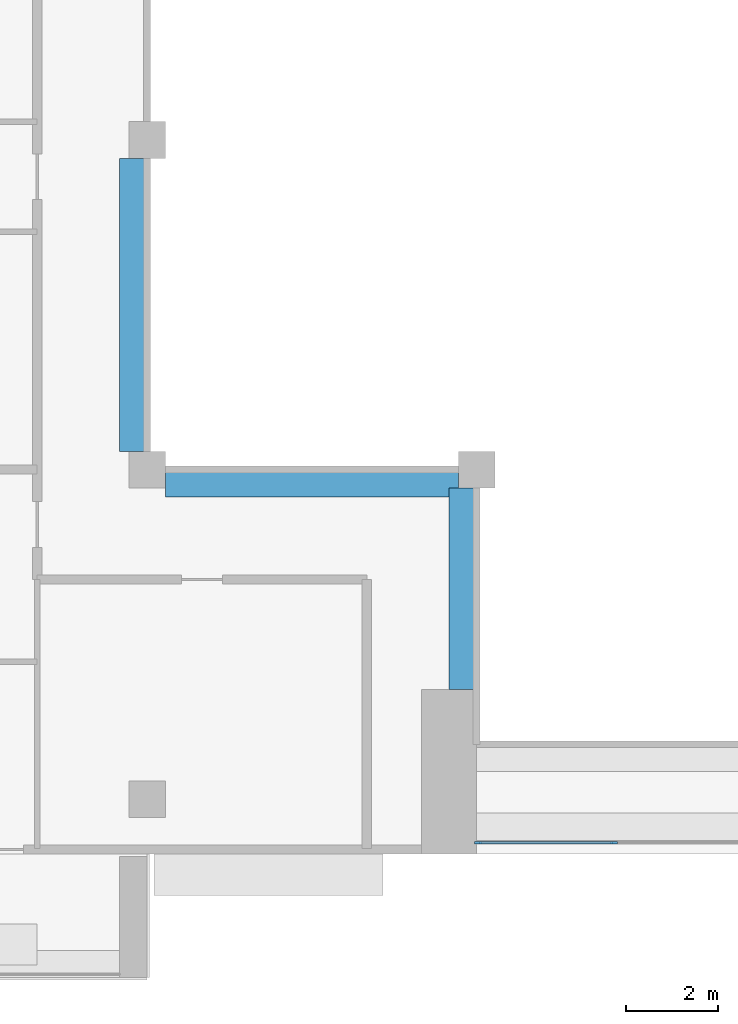
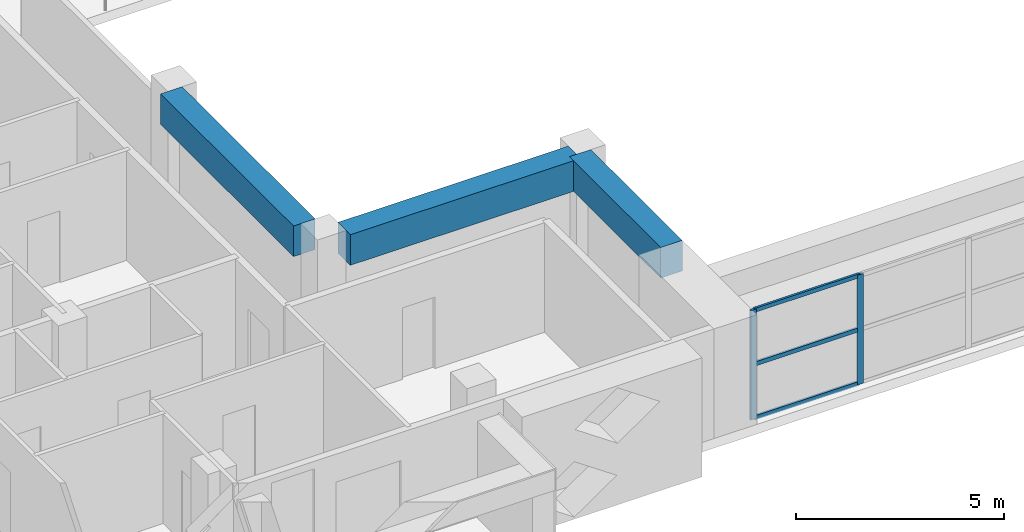
# One storey, part 2 of 19: 5 members, 3 beams, 1 element without a shape of its own.
"""IFC4 building model written with IfcOpenShell, lengths in metres."""

from ifc_helpers import new_model, si_unit, direction, frame, origin, origin_2d, place, context, subcontext, project, spatial, rectangle, extrude, source, transform, mapped, material, layer, layer_set, material_profile, profile_set, type_object, element, aggregate, save


model = new_model("IFC4")

# Units and contexts
model_context = context("Model", 3, precision=1e-05, world=origin(), true_north=direction((0.0, 1.0)))
body_context = subcontext(model_context, "Body", "Model", "MODEL_VIEW")
ifc_project = project(units=[si_unit("LENGTHUNIT", "METRE"), si_unit("AREAUNIT", "SQUARE_METRE"), si_unit("VOLUMEUNIT", "CUBIC_METRE"), si_unit("PLANEANGLEUNIT", "RADIAN"), si_unit("MASSUNIT", "GRAM", prefix="KILO")], contexts=[model_context])

# Site, building, storey
site_placement = place(None, origin())
site = spatial("IfcSite", under=ifc_project, at=site_placement, CompositionType="ELEMENT")
building_placement = place(site_placement, origin())
building = spatial("IfcBuilding", under=site, at=building_placement, Name="Saffron Iwan Residences", CompositionType="ELEMENT")
storey_placement = place(building_placement, frame((0.0, 0.0, 243.0)))
storey = spatial("IfcBuildingStorey", under=building, at=storey_placement, Name="L65", CompositionType="ELEMENT", Elevation=243.0)

# Beams
ifc_material_1 = material(Name="Concrete C40/50", Category="concrete")
ifc_material_profile_1 = material_profile(ifc_material_1, rectangle(XDim=0.60009765625, YDim=0.89990234375, at=origin_2d()), Name="RC 600x900")
ifc_profile_set_1 = profile_set([ifc_material_profile_1], Name="Concrete C40/50")
beam_type = type_object("IfcBeamType", Name="BEAM RC 600x900 C40/50 TOP 3220", PredefinedType="BEAM", material=ifc_profile_set_1)
shared_shape_1 = source(origin(), body_context, "Body", "SweptSolid", [
    extrude(rectangle(XDim=0.60009765625, YDim=0.89990234375, at=origin_2d()), origin(), (0.0, 0.0, 1.0), 4.400146484375),
])
beam_placement = place(storey_placement, frame((42.89990234375, 43.199951171875, 2.77001953125), z_axis=(0.0, 1.0, 0.0), x_axis=(-1.0, 0.0, 0.0)))
element("IfcBeam", 1, at=beam_placement, inside=storey, type_object=beam_type, Name="Atrium edge beam", PredefinedType="BEAM", context=body_context, shape_type="MappedRepresentation", body=[
    mapped(shared_shape_1, transform((0.0, 0.0, 0.0))),
])
shared_shape_2 = source(origin(), body_context, "Body", "SweptSolid", [
    extrude(rectangle(XDim=0.60009765625, YDim=0.89990234375, at=origin_2d()), origin(), (0.0, 0.0, 1.0), 6.400146484375),
])
for number, where, z_axis, x_axis, name in (
    (2, (42.800048828125, 47.699951171875, 2.77001953125), (-1.0, 0.0, 0.0), (0.0, -1.0, 0.0), "Atrium edge beam"),
    (3, (35.699951171875, 48.39990234375, 2.77001953125), (0.0, 1.0, 0.0), (-1.0, 0.0, 0.0), "Atrium edge beam"),
):
    element("IfcBeam", number, at=place(storey_placement, frame(where, z_axis=z_axis, x_axis=x_axis)), inside=storey, type_object=beam_type, Name=name, PredefinedType="BEAM", context=body_context, shape_type="MappedRepresentation", body=[
        mapped(shared_shape_2, transform((0.0, 0.0, 0.0))),
    ])

# Curtain wall, members
ifc_material_2 = material(Name="Clear glass, laminated double glazed", Category="glass")
ifc_layer = layer(ifc_material_2, 0.199951171875)
ifc_layer_set = layer_set([ifc_layer], Name="Clear glass, laminated double glazed")
curtain_wall_type = type_object("IfcCurtainWallType", Name="CW-B IWAN PORTAL", PredefinedType="NOTDEFINED", material=ifc_layer_set)
curtain_wall_placement = place(storey_placement, origin())
curtain_wall = element("IfcCurtainWall", 4, at=curtain_wall_placement, inside=storey, type_object=curtain_wall_type, Name="Iwan portal glazing L65.1", PredefinedType="NOTDEFINED")
ifc_material_3 = material(Name="Aluminium 6063-T6", Category="aluminium")
ifc_material_profile_2 = material_profile(ifc_material_3, rectangle(XDim=0.06005859375, YDim=0.1201171875, at=origin_2d()), Name="CW-B TRANSOM 60 x 120")
ifc_profile_set_2 = profile_set([ifc_material_profile_2], Name="Aluminium 6063-T6")
member_type_1 = type_object("IfcMemberType", Name="CW-B TRANSOM 60 x 120", PredefinedType="USERDEFINED", material=ifc_profile_set_2)
shared_shape_3 = source(origin(), body_context, "Body", "SweptSolid", [
    extrude(rectangle(XDim=0.06005859375, YDim=0.1201171875, at=origin_2d()), origin(), (0.0, 0.0, 1.0), 2.909912109375),
])
member_1_placement = place(storey_placement, frame((43.260009765625, 39.85009765625, 0.030029296875), z_axis=(1.0, 0.0, 0.0), x_axis=(0.0, 1.0, 0.0)))
member_1 = element("IfcMember", 5, at=member_1_placement, type_object=member_type_1, Name="CW-B transom 1.1", ObjectType="TRANSOM", PredefinedType="USERDEFINED", context=body_context, shape_type="MappedRepresentation", body=[
    mapped(shared_shape_3, transform((0.0, 0.0, 0.0))),
])
member_2_placement = place(storey_placement, frame((43.260009765625, 39.85009765625, 1.610107421875), z_axis=(1.0, 0.0, 0.0), x_axis=(0.0, 1.0, 0.0)))
member_2 = element("IfcMember", 6, at=member_2_placement, type_object=member_type_1, Name="CW-B transom 1.2", ObjectType="TRANSOM", PredefinedType="USERDEFINED", context=body_context, shape_type="MappedRepresentation", body=[
    mapped(shared_shape_3, transform((0.0, 0.0, 0.0))),
])
member_3_placement = place(storey_placement, frame((43.260009765625, 39.85009765625, 3.18994140625), z_axis=(1.0, 0.0, 0.0), x_axis=(0.0, 1.0, 0.0)))
member_3 = element("IfcMember", 7, at=member_3_placement, type_object=member_type_1, Name="CW-B transom 1.3", ObjectType="TRANSOM", PredefinedType="USERDEFINED", context=body_context, shape_type="MappedRepresentation", body=[
    mapped(shared_shape_3, transform((0.0, 0.0, 0.0))),
])
ifc_material_profile_3 = material_profile(ifc_material_3, rectangle(XDim=0.06005859375, YDim=0.159912109375, at=origin_2d()), Name="CW-B MULLION 60 x 160")
ifc_profile_set_3 = profile_set([ifc_material_profile_3], Name="Aluminium 6063-T6")
member_type_2 = type_object("IfcMemberType", Name="CW-B MULLION 60 x 160", PredefinedType="MULLION", material=ifc_profile_set_3)
shared_shape_4 = source(origin(), body_context, "Body", "SweptSolid", [
    extrude(rectangle(XDim=0.06005859375, YDim=0.159912109375, at=origin_2d()), origin(), (0.0, 0.0, 1.0), 3.219970703125),
])
member_4_placement = place(storey_placement, frame((43.22998046875, 39.85009765625, 0.0), z_axis=(0.0, 0.0, 1.0), x_axis=(0.0, 1.0, 0.0)))
member_4 = element("IfcMember", 8, at=member_4_placement, type_object=member_type_2, Name="CW-B mullion 1", PredefinedType="MULLION", context=body_context, shape_type="MappedRepresentation", body=[
    mapped(shared_shape_4, transform((0.0, 0.0, 0.0))),
])
member_5_placement = place(storey_placement, frame((46.199951171875, 39.85009765625, 0.0), z_axis=(0.0, 0.0, 1.0), x_axis=(0.0, 1.0, 0.0)))
member_5 = element("IfcMember", 9, at=member_5_placement, type_object=member_type_2, Name="CW-B mullion 2", PredefinedType="MULLION", context=body_context, shape_type="MappedRepresentation", body=[
    mapped(shared_shape_4, transform((0.0, 0.0, 0.0))),
])
aggregate(curtain_wall, [member_4, member_5, member_1, member_2, member_3])

save(model, "model.ifc")
